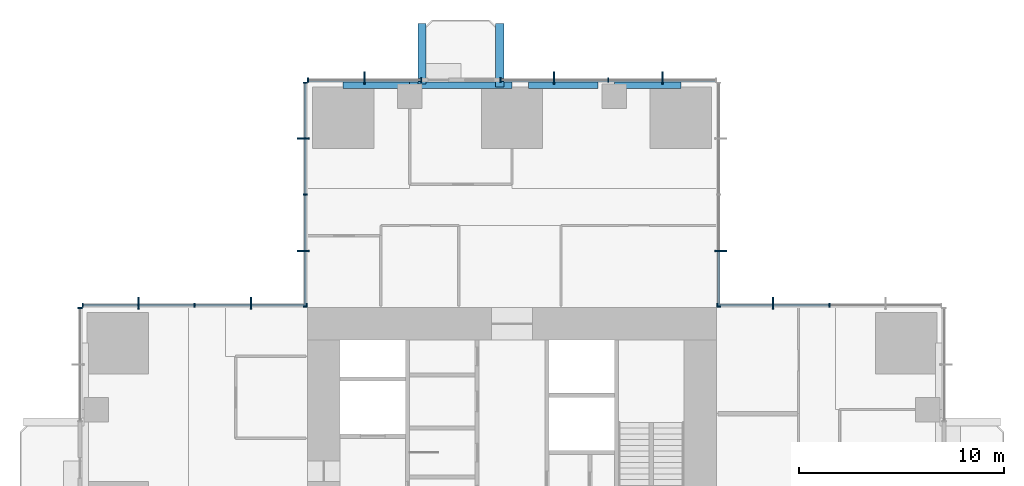
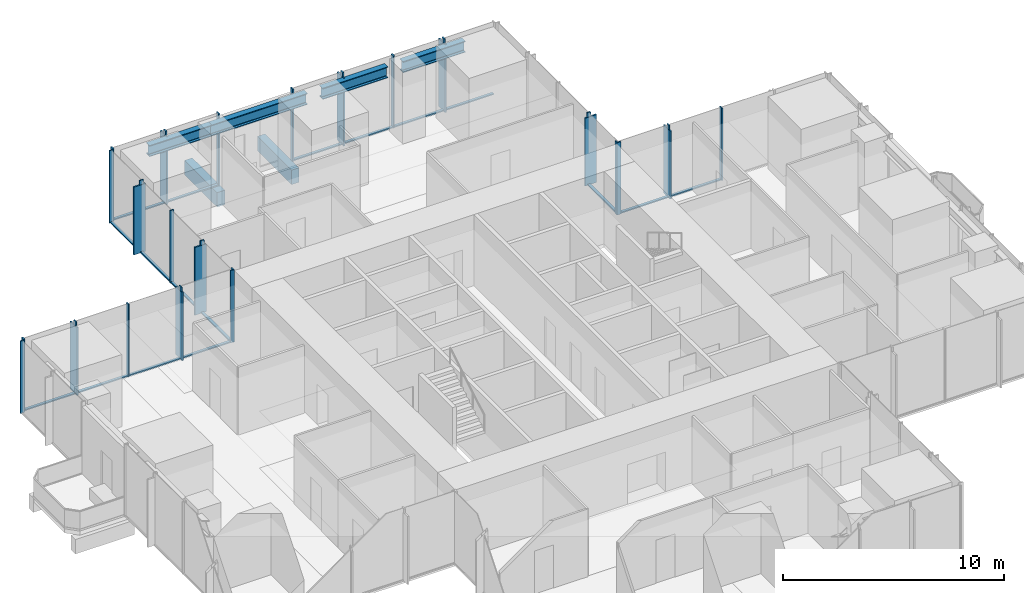
# One storey, part 5 of 13: 49 members, 6 beams, 7 elements without a shape of their own.
"""IFC4 building model written with IfcOpenShell, lengths in metres."""

from ifc_helpers import new_model, si_unit, direction, frame, origin, origin_2d, place, context, subcontext, project, spatial, rectangle, i_section, extrude, material, material_profile, profile_set, type_object, element, aggregate, save


model = new_model("IFC4")

# Units and contexts
model_context = context("Model", 3, precision=1e-05, world=origin(), true_north=direction((0.0, 1.0)))
body_context = subcontext(model_context, "Body", "Model", "MODEL_VIEW")
ifc_project = project(units=[si_unit("LENGTHUNIT", "METRE"), si_unit("AREAUNIT", "SQUARE_METRE"), si_unit("VOLUMEUNIT", "CUBIC_METRE"), si_unit("PLANEANGLEUNIT", "RADIAN"), si_unit("MASSUNIT", "GRAM", prefix="KILO")], contexts=[model_context])

# Site, building, storey
site_placement = place(None, origin())
site = spatial("IfcSite", under=ifc_project, at=site_placement, CompositionType="ELEMENT")
building_placement = place(site_placement, origin())
building = spatial("IfcBuilding", under=site, at=building_placement, Name="Svetlomir Tower", CompositionType="ELEMENT")
storey_placement = place(building_placement, frame((0.0, 0.0, 116.5)))
storey = spatial("IfcBuildingStorey", under=building, at=storey_placement, Name="L27", CompositionType="ELEMENT", Elevation=116.5)

# Beams
ifc_material_1 = material(Name="Concrete C60/75", Category="concrete")
ifc_material_profile_1 = material_profile(ifc_material_1, rectangle(XDim=0.39990234375, YDim=0.800048828125, at=origin_2d()), Name="RC 400x800")
ifc_profile_set_1 = profile_set([ifc_material_profile_1], Name="Concrete C60/75")
beam_type_1 = type_object("IfcBeamType", Name="BALCONY RIB RC 400x800", PredefinedType="BEAM", material=ifc_profile_set_1)
beam_1_placement = place(storey_placement, frame((16.60009765625, 41.89990234375, -0.64990234375), z_axis=(0.0, 1.0, 0.0), x_axis=(-1.0, 0.0, 0.0)))
element("IfcBeam", 1, at=beam_1_placement, inside=storey, type_object=beam_type_1, Name="Balcony rib N 1 L27", PredefinedType="BEAM", context=body_context, shape_type="SweptSolid", body=[
    extrude(rectangle(XDim=0.39990234375, YDim=0.800048828125, at=origin_2d()), origin(), (0.0, 0.0, 1.0), 2.9501953125),
])
beam_2_placement = place(storey_placement, frame((20.39990234375, 41.75, -0.64990234375), z_axis=(0.0, 1.0, 0.0), x_axis=(-1.0, 0.0, 0.0)))
element("IfcBeam", 2, at=beam_2_placement, inside=storey, type_object=beam_type_1, Name="Balcony rib N 2 L27", PredefinedType="BEAM", context=body_context, shape_type="SweptSolid", body=[
    extrude(rectangle(XDim=0.39990234375, YDim=0.800048828125, at=origin_2d()), origin(), (0.0, 0.0, 1.0), 3.10009765625),
])

# Curtain wall, member
ifc_material_2 = material(Name="Bronze anodised aluminium curtain wall", Category="aluminium")
curtain_wall_type = type_object("IfcCurtainWallType", Name="CURTAIN WALL CW1 TOWER OFFICE", PredefinedType="NOTDEFINED", material=ifc_material_2)
curtain_wall_1_placement = place(storey_placement, origin())
curtain_wall_1 = element("IfcCurtainWall", 3, at=curtain_wall_1_placement, inside=storey, type_object=curtain_wall_type, Name="Curtain wall CW1 L27", PredefinedType="NOTDEFINED")
ifc_material_3 = material(Name="Bronze anodised aluminium", Category="aluminium")
ifc_material_profile_2 = material_profile(ifc_material_3, rectangle(XDim=0.080078125, YDim=0.60009765625, at=origin_2d()), Name="FIN 80x600")
ifc_profile_set_2 = profile_set([ifc_material_profile_2], Name="Bronze anodised aluminium 6063-T6")
member_type_1 = type_object("IfcMemberType", Name="BRONZE FIN 80x600", PredefinedType="USERDEFINED", material=ifc_profile_set_2)
member_1_placement = place(storey_placement, frame((33.75, 31.199951171875, 0.0), z_axis=(0.0, 0.0, 1.0), x_axis=(1.0, 0.0, 0.0)))
member_1 = element("IfcMember", 4, at=member_1_placement, type_object=member_type_1, Name="Bronze fin L27", ObjectType="FIN", PredefinedType="USERDEFINED", context=body_context, shape_type="SweptSolid", body=[
    extrude(rectangle(XDim=0.080078125, YDim=0.60009765625, at=origin_2d()), origin(), (0.0, 0.0, 1.0), 3.75),
])

curtain_wall_2_placement = place(storey_placement, origin())
curtain_wall_2 = element("IfcCurtainWall", 5, at=curtain_wall_2_placement, inside=storey, type_object=curtain_wall_type, Name="Curtain wall CW1 L27", PredefinedType="NOTDEFINED")
member_2_placement = place(storey_placement, frame((31.199951171875, 33.75, 0.0), z_axis=(0.0, 0.0, 1.0), x_axis=(0.0, 1.0, 0.0)))
member_2 = element("IfcMember", 6, at=member_2_placement, type_object=member_type_1, Name="Bronze fin L27", ObjectType="FIN", PredefinedType="USERDEFINED", context=body_context, shape_type="SweptSolid", body=[
    extrude(rectangle(XDim=0.080078125, YDim=0.60009765625, at=origin_2d()), origin(), (0.0, 0.0, 1.0), 3.75),
])

# Curtain wall, members
curtain_wall_3_placement = place(storey_placement, origin())
curtain_wall_3 = element("IfcCurtainWall", 7, at=curtain_wall_3_placement, inside=storey, type_object=curtain_wall_type, Name="Curtain wall CW1 L27", PredefinedType="NOTDEFINED")
member_3_placement = place(storey_placement, frame((28.35009765625, 42.199951171875, 0.0), z_axis=(0.0, 0.0, 1.0), x_axis=(1.0, 0.0, 0.0)))
member_3 = element("IfcMember", 8, at=member_3_placement, type_object=member_type_1, Name="Bronze fin L27", ObjectType="FIN", PredefinedType="USERDEFINED", context=body_context, shape_type="SweptSolid", body=[
    extrude(rectangle(XDim=0.080078125, YDim=0.60009765625, at=origin_2d()), origin(), (0.0, 0.0, 1.0), 3.75),
])
member_4_placement = place(storey_placement, frame((23.050048828125, 42.199951171875, 0.0), z_axis=(0.0, 0.0, 1.0), x_axis=(1.0, 0.0, 0.0)))
member_4 = element("IfcMember", 9, at=member_4_placement, type_object=member_type_1, Name="Bronze fin L27", ObjectType="FIN", PredefinedType="USERDEFINED", context=body_context, shape_type="SweptSolid", body=[
    extrude(rectangle(XDim=0.080078125, YDim=0.60009765625, at=origin_2d()), origin(), (0.0, 0.0, 1.0), 3.75),
])

# Curtain wall, member
curtain_wall_4_placement = place(storey_placement, origin())
curtain_wall_4 = element("IfcCurtainWall", 10, at=curtain_wall_4_placement, inside=storey, type_object=curtain_wall_type, Name="Curtain wall CW1 L27", PredefinedType="NOTDEFINED")
member_5_placement = place(storey_placement, frame((13.800048828125, 42.199951171875, 0.0), z_axis=(0.0, 0.0, 1.0), x_axis=(1.0, 0.0, 0.0)))
member_5 = element("IfcMember", 11, at=member_5_placement, type_object=member_type_1, Name="Bronze fin L27", ObjectType="FIN", PredefinedType="USERDEFINED", context=body_context, shape_type="SweptSolid", body=[
    extrude(rectangle(XDim=0.080078125, YDim=0.60009765625, at=origin_2d()), origin(), (0.0, 0.0, 1.0), 3.75),
])

# Curtain wall, members
curtain_wall_5_placement = place(storey_placement, origin())
curtain_wall_5 = element("IfcCurtainWall", 12, at=curtain_wall_5_placement, inside=storey, type_object=curtain_wall_type, Name="Curtain wall CW1 L27", PredefinedType="NOTDEFINED")
member_6_placement = place(storey_placement, frame((10.800048828125, 39.25, 0.0), z_axis=(0.0, 0.0, 1.0), x_axis=(0.0, 1.0, 0.0)))
member_6 = element("IfcMember", 13, at=member_6_placement, type_object=member_type_1, Name="Bronze fin L27", ObjectType="FIN", PredefinedType="USERDEFINED", context=body_context, shape_type="SweptSolid", body=[
    extrude(rectangle(XDim=0.080078125, YDim=0.60009765625, at=origin_2d()), origin(), (0.0, 0.0, 1.0), 3.75),
])
member_7_placement = place(storey_placement, frame((10.800048828125, 33.75, 0.0), z_axis=(0.0, 0.0, 1.0), x_axis=(0.0, 1.0, 0.0)))
member_7 = element("IfcMember", 14, at=member_7_placement, type_object=member_type_1, Name="Bronze fin L27", ObjectType="FIN", PredefinedType="USERDEFINED", context=body_context, shape_type="SweptSolid", body=[
    extrude(rectangle(XDim=0.080078125, YDim=0.60009765625, at=origin_2d()), origin(), (0.0, 0.0, 1.0), 3.75),
])

curtain_wall_6_placement = place(storey_placement, origin())
curtain_wall_6 = element("IfcCurtainWall", 15, at=curtain_wall_6_placement, inside=storey, type_object=curtain_wall_type, Name="Curtain wall CW1 L27", PredefinedType="NOTDEFINED")
member_8_placement = place(storey_placement, frame((8.25, 31.199951171875, 0.0), z_axis=(0.0, 0.0, 1.0), x_axis=(1.0, 0.0, 0.0)))
member_8 = element("IfcMember", 16, at=member_8_placement, type_object=member_type_1, Name="Bronze fin L27", ObjectType="FIN", PredefinedType="USERDEFINED", context=body_context, shape_type="SweptSolid", body=[
    extrude(rectangle(XDim=0.080078125, YDim=0.60009765625, at=origin_2d()), origin(), (0.0, 0.0, 1.0), 3.75),
])
member_9_placement = place(storey_placement, frame((2.75, 31.199951171875, 0.0), z_axis=(0.0, 0.0, 1.0), x_axis=(1.0, 0.0, 0.0)))
member_9 = element("IfcMember", 17, at=member_9_placement, type_object=member_type_1, Name="Bronze fin L27", ObjectType="FIN", PredefinedType="USERDEFINED", context=body_context, shape_type="SweptSolid", body=[
    extrude(rectangle(XDim=0.080078125, YDim=0.60009765625, at=origin_2d()), origin(), (0.0, 0.0, 1.0), 3.75),
])

# Member
ifc_material_4 = material(Name="Bronze anodised aluminium", Category="aluminium")
ifc_material_profile_3 = material_profile(ifc_material_4, rectangle(XDim=0.06494140625, YDim=0.199951171875, at=origin_2d()), Name="AL 65x200")
ifc_profile_set_3 = profile_set([ifc_material_profile_3], Name="Bronze anodised aluminium 6063-T6")
member_type_2 = type_object("IfcMemberType", Name="CW1 MULLION 65x200", PredefinedType="MULLION", material=ifc_profile_set_3)
member_10_placement = place(storey_placement, frame((36.5, 31.10009765625, 0.0), z_axis=(0.0, 0.0, 1.0), x_axis=(-1.0, 0.0, 0.0)))
member_10 = element("IfcMember", 18, at=member_10_placement, type_object=member_type_2, Name="CW1 mullion 3", PredefinedType="MULLION", context=body_context, shape_type="SweptSolid", body=[
    extrude(rectangle(XDim=0.06494140625, YDim=0.199951171875, at=origin_2d()), origin(), (0.0, 0.0, 1.0), 4.0),
])

member_11_placement = place(storey_placement, frame((33.75, 31.10009765625, 0.0), z_axis=(0.0, 0.0, 1.0), x_axis=(-1.0, 0.0, 0.0)))
member_11 = element("IfcMember", 19, at=member_11_placement, type_object=member_type_2, Name="CW1 mullion 4", PredefinedType="MULLION", context=body_context, shape_type="SweptSolid", body=[
    extrude(rectangle(XDim=0.06494140625, YDim=0.199951171875, at=origin_2d()), origin(), (0.0, 0.0, 1.0), 4.0),
])

member_12_placement = place(storey_placement, frame((31.032470703125, 31.10009765625, 0.0), z_axis=(0.0, 0.0, 1.0), x_axis=(-1.0, 0.0, 0.0)))
member_12 = element("IfcMember", 20, at=member_12_placement, type_object=member_type_2, Name="CW1 mullion 5", PredefinedType="MULLION", context=body_context, shape_type="SweptSolid", body=[
    extrude(rectangle(XDim=0.06494140625, YDim=0.199951171875, at=origin_2d()), origin(), (0.0, 0.0, 1.0), 4.0),
])

member_13_placement = place(storey_placement, frame((31.10009765625, 31.032470703125, 0.0), z_axis=(0.0, 0.0, 1.0), x_axis=(0.0, 1.0, 0.0)))
member_13 = element("IfcMember", 21, at=member_13_placement, type_object=member_type_2, Name="CW1 mullion 1", PredefinedType="MULLION", context=body_context, shape_type="SweptSolid", body=[
    extrude(rectangle(XDim=0.06494140625, YDim=0.199951171875, at=origin_2d()), origin(), (0.0, 0.0, 1.0), 4.0),
])

member_14_placement = place(storey_placement, frame((31.10009765625, 33.75, 0.0), z_axis=(0.0, 0.0, 1.0), x_axis=(0.0, 1.0, 0.0)))
member_14 = element("IfcMember", 22, at=member_14_placement, type_object=member_type_2, Name="CW1 mullion 2", PredefinedType="MULLION", context=body_context, shape_type="SweptSolid", body=[
    extrude(rectangle(XDim=0.06494140625, YDim=0.199951171875, at=origin_2d()), origin(), (0.0, 0.0, 1.0), 4.0),
])

member_15_placement = place(storey_placement, frame((28.35009765625, 42.10009765625, 0.0), z_axis=(0.0, 0.0, 1.0), x_axis=(-1.0, 0.0, 0.0)))
member_15 = element("IfcMember", 23, at=member_15_placement, type_object=member_type_2, Name="CW1 mullion 2", PredefinedType="MULLION", context=body_context, shape_type="SweptSolid", body=[
    extrude(rectangle(XDim=0.06494140625, YDim=0.199951171875, at=origin_2d()), origin(), (0.0, 0.0, 1.0), 4.0),
])

member_16_placement = place(storey_placement, frame((25.699951171875, 42.10009765625, 0.0), z_axis=(0.0, 0.0, 1.0), x_axis=(-1.0, 0.0, 0.0)))
member_16 = element("IfcMember", 24, at=member_16_placement, type_object=member_type_2, Name="CW1 mullion 3", PredefinedType="MULLION", context=body_context, shape_type="SweptSolid", body=[
    extrude(rectangle(XDim=0.06494140625, YDim=0.199951171875, at=origin_2d()), origin(), (0.0, 0.0, 1.0), 4.0),
])

member_17_placement = place(storey_placement, frame((23.050048828125, 42.10009765625, 0.0), z_axis=(0.0, 0.0, 1.0), x_axis=(-1.0, 0.0, 0.0)))
member_17 = element("IfcMember", 25, at=member_17_placement, type_object=member_type_2, Name="CW1 mullion 4", PredefinedType="MULLION", context=body_context, shape_type="SweptSolid", body=[
    extrude(rectangle(XDim=0.06494140625, YDim=0.199951171875, at=origin_2d()), origin(), (0.0, 0.0, 1.0), 4.0),
])

member_18_placement = place(storey_placement, frame((20.4326171875, 42.10009765625, 0.0), z_axis=(0.0, 0.0, 1.0), x_axis=(-1.0, 0.0, 0.0)))
member_18 = element("IfcMember", 26, at=member_18_placement, type_object=member_type_2, Name="CW1 mullion 5", PredefinedType="MULLION", context=body_context, shape_type="SweptSolid", body=[
    extrude(rectangle(XDim=0.06494140625, YDim=0.199951171875, at=origin_2d()), origin(), (0.0, 0.0, 1.0), 4.0),
])

member_19_placement = place(storey_placement, frame((16.5673828125, 42.10009765625, 0.0), z_axis=(0.0, 0.0, 1.0), x_axis=(-1.0, 0.0, 0.0)))
member_19 = element("IfcMember", 27, at=member_19_placement, type_object=member_type_2, Name="CW1 mullion 1", PredefinedType="MULLION", context=body_context, shape_type="SweptSolid", body=[
    extrude(rectangle(XDim=0.06494140625, YDim=0.199951171875, at=origin_2d()), origin(), (0.0, 0.0, 1.0), 4.0),
])

member_20_placement = place(storey_placement, frame((13.800048828125, 42.10009765625, 0.0), z_axis=(0.0, 0.0, 1.0), x_axis=(-1.0, 0.0, 0.0)))
member_20 = element("IfcMember", 28, at=member_20_placement, type_object=member_type_2, Name="CW1 mullion 2", PredefinedType="MULLION", context=body_context, shape_type="SweptSolid", body=[
    extrude(rectangle(XDim=0.06494140625, YDim=0.199951171875, at=origin_2d()), origin(), (0.0, 0.0, 1.0), 4.0),
])

member_21_placement = place(storey_placement, frame((11.032470703125, 42.10009765625, 0.0), z_axis=(0.0, 0.0, 1.0), x_axis=(-1.0, 0.0, 0.0)))
member_21 = element("IfcMember", 29, at=member_21_placement, type_object=member_type_2, Name="CW1 mullion 3", PredefinedType="MULLION", context=body_context, shape_type="SweptSolid", body=[
    extrude(rectangle(XDim=0.06494140625, YDim=0.199951171875, at=origin_2d()), origin(), (0.0, 0.0, 1.0), 4.0),
])

member_22_placement = place(storey_placement, frame((10.89990234375, 41.967529296875, 0.0), z_axis=(0.0, 0.0, 1.0), x_axis=(0.0, -1.0, 0.0)))
member_22 = element("IfcMember", 30, at=member_22_placement, type_object=member_type_2, Name="CW1 mullion 1", PredefinedType="MULLION", context=body_context, shape_type="SweptSolid", body=[
    extrude(rectangle(XDim=0.06494140625, YDim=0.199951171875, at=origin_2d()), origin(), (0.0, 0.0, 1.0), 4.0),
])

member_23_placement = place(storey_placement, frame((10.89990234375, 39.25, 0.0), z_axis=(0.0, 0.0, 1.0), x_axis=(0.0, -1.0, 0.0)))
member_23 = element("IfcMember", 31, at=member_23_placement, type_object=member_type_2, Name="CW1 mullion 2", PredefinedType="MULLION", context=body_context, shape_type="SweptSolid", body=[
    extrude(rectangle(XDim=0.06494140625, YDim=0.199951171875, at=origin_2d()), origin(), (0.0, 0.0, 1.0), 4.0),
])

member_24_placement = place(storey_placement, frame((10.89990234375, 36.5, 0.0), z_axis=(0.0, 0.0, 1.0), x_axis=(0.0, -1.0, 0.0)))
member_24 = element("IfcMember", 32, at=member_24_placement, type_object=member_type_2, Name="CW1 mullion 3", PredefinedType="MULLION", context=body_context, shape_type="SweptSolid", body=[
    extrude(rectangle(XDim=0.06494140625, YDim=0.199951171875, at=origin_2d()), origin(), (0.0, 0.0, 1.0), 4.0),
])

member_25_placement = place(storey_placement, frame((10.89990234375, 33.75, 0.0), z_axis=(0.0, 0.0, 1.0), x_axis=(0.0, -1.0, 0.0)))
member_25 = element("IfcMember", 33, at=member_25_placement, type_object=member_type_2, Name="CW1 mullion 4", PredefinedType="MULLION", context=body_context, shape_type="SweptSolid", body=[
    extrude(rectangle(XDim=0.06494140625, YDim=0.199951171875, at=origin_2d()), origin(), (0.0, 0.0, 1.0), 4.0),
])

member_26_placement = place(storey_placement, frame((10.89990234375, 31.032470703125, 0.0), z_axis=(0.0, 0.0, 1.0), x_axis=(0.0, -1.0, 0.0)))
member_26 = element("IfcMember", 34, at=member_26_placement, type_object=member_type_2, Name="CW1 mullion 5", PredefinedType="MULLION", context=body_context, shape_type="SweptSolid", body=[
    extrude(rectangle(XDim=0.06494140625, YDim=0.199951171875, at=origin_2d()), origin(), (0.0, 0.0, 1.0), 4.0),
])

member_27_placement = place(storey_placement, frame((10.967529296875, 31.10009765625, 0.0), z_axis=(0.0, 0.0, 1.0), x_axis=(-1.0, 0.0, 0.0)))
member_27 = element("IfcMember", 35, at=member_27_placement, type_object=member_type_2, Name="CW1 mullion 1", PredefinedType="MULLION", context=body_context, shape_type="SweptSolid", body=[
    extrude(rectangle(XDim=0.06494140625, YDim=0.199951171875, at=origin_2d()), origin(), (0.0, 0.0, 1.0), 4.0),
])

member_28_placement = place(storey_placement, frame((8.25, 31.10009765625, 0.0), z_axis=(0.0, 0.0, 1.0), x_axis=(-1.0, 0.0, 0.0)))
member_28 = element("IfcMember", 36, at=member_28_placement, type_object=member_type_2, Name="CW1 mullion 2", PredefinedType="MULLION", context=body_context, shape_type="SweptSolid", body=[
    extrude(rectangle(XDim=0.06494140625, YDim=0.199951171875, at=origin_2d()), origin(), (0.0, 0.0, 1.0), 4.0),
])

member_29_placement = place(storey_placement, frame((5.5, 31.10009765625, 0.0), z_axis=(0.0, 0.0, 1.0), x_axis=(-1.0, 0.0, 0.0)))
member_29 = element("IfcMember", 37, at=member_29_placement, type_object=member_type_2, Name="CW1 mullion 3", PredefinedType="MULLION", context=body_context, shape_type="SweptSolid", body=[
    extrude(rectangle(XDim=0.06494140625, YDim=0.199951171875, at=origin_2d()), origin(), (0.0, 0.0, 1.0), 4.0),
])

member_30_placement = place(storey_placement, frame((2.75, 31.10009765625, 0.0), z_axis=(0.0, 0.0, 1.0), x_axis=(-1.0, 0.0, 0.0)))
member_30 = element("IfcMember", 38, at=member_30_placement, type_object=member_type_2, Name="CW1 mullion 4", PredefinedType="MULLION", context=body_context, shape_type="SweptSolid", body=[
    extrude(rectangle(XDim=0.06494140625, YDim=0.199951171875, at=origin_2d()), origin(), (0.0, 0.0, 1.0), 4.0),
])

member_31_placement = place(storey_placement, frame((0.032470703125, 31.10009765625, 0.0), z_axis=(0.0, 0.0, 1.0), x_axis=(-1.0, 0.0, 0.0)))
member_31 = element("IfcMember", 39, at=member_31_placement, type_object=member_type_2, Name="CW1 mullion 5", PredefinedType="MULLION", context=body_context, shape_type="SweptSolid", body=[
    extrude(rectangle(XDim=0.06494140625, YDim=0.199951171875, at=origin_2d()), origin(), (0.0, 0.0, 1.0), 4.0),
])

# Curtain wall, member
curtain_wall_7_placement = place(storey_placement, origin())
curtain_wall_7 = element("IfcCurtainWall", 40, at=curtain_wall_7_placement, inside=storey, type_object=curtain_wall_type, Name="Curtain wall CW1 L27", PredefinedType="NOTDEFINED")
member_32_placement = place(storey_placement, frame((-0.10009765625, 30.967529296875, 0.0), z_axis=(0.0, 0.0, 1.0), x_axis=(0.0, -1.0, 0.0)))
member_32 = element("IfcMember", 41, at=member_32_placement, type_object=member_type_2, Name="CW1 mullion 1", PredefinedType="MULLION", context=body_context, shape_type="SweptSolid", body=[
    extrude(rectangle(XDim=0.06494140625, YDim=0.199951171875, at=origin_2d()), origin(), (0.0, 0.0, 1.0), 4.0),
])
aggregate(curtain_wall_7, [member_32])

# Member
ifc_material_5 = material(Name="Bronze anodised aluminium", Category="aluminium")
ifc_material_profile_4 = material_profile(ifc_material_5, rectangle(XDim=0.139892578125, YDim=0.06494140625, at=origin_2d()), Name="AL 140x65")
ifc_profile_set_4 = profile_set([ifc_material_profile_4], Name="Bronze anodised aluminium 6063-T6")
member_type_3 = type_object("IfcMemberType", Name="CW1 TRANSOM 65x140", PredefinedType="USERDEFINED", material=ifc_profile_set_4)
member_33_placement = place(storey_placement, frame((36.467529296875, 31.10009765625, 0.032470703125), z_axis=(-1.0, 0.0, 0.0), x_axis=(0.0, -1.0, 0.0)))
member_33 = element("IfcMember", 42, at=member_33_placement, type_object=member_type_3, Name="CW1 transom 3.1", ObjectType="TRANSOM", PredefinedType="USERDEFINED", context=body_context, shape_type="SweptSolid", body=[
    extrude(rectangle(XDim=0.139892578125, YDim=0.06494140625, at=origin_2d()), origin(), (0.0, 0.0, 1.0), 2.68505859375),
])

member_34_placement = place(storey_placement, frame((33.717529296875, 31.10009765625, 0.032470703125), z_axis=(-1.0, 0.0, 0.0), x_axis=(0.0, -1.0, 0.0)))
member_34 = element("IfcMember", 43, at=member_34_placement, type_object=member_type_3, Name="CW1 transom 4.1", ObjectType="TRANSOM", PredefinedType="USERDEFINED", context=body_context, shape_type="SweptSolid", body=[
    extrude(rectangle(XDim=0.139892578125, YDim=0.06494140625, at=origin_2d()), origin(), (0.0, 0.0, 1.0), 2.652587890625),
])

aggregate(curtain_wall_1, [member_10, member_11, member_12, member_33, member_34, member_1])

member_35_placement = place(storey_placement, frame((31.10009765625, 31.06494140625, 0.032470703125), z_axis=(0.0, 1.0, 0.0), x_axis=(-1.0, 0.0, 0.0)))
member_35 = element("IfcMember", 44, at=member_35_placement, type_object=member_type_3, Name="CW1 transom 1.1", ObjectType="TRANSOM", PredefinedType="USERDEFINED", context=body_context, shape_type="SweptSolid", body=[
    extrude(rectangle(XDim=0.139892578125, YDim=0.06494140625, at=origin_2d()), origin(), (0.0, 0.0, 1.0), 2.652587890625),
])

aggregate(curtain_wall_2, [member_13, member_14, member_35, member_2])

member_36_placement = place(storey_placement, frame((30.93505859375, 42.10009765625, 0.032470703125), z_axis=(-1.0, 0.0, 0.0), x_axis=(0.0, -1.0, 0.0)))
member_36 = element("IfcMember", 45, at=member_36_placement, type_object=member_type_3, Name="CW1 transom 1.1", ObjectType="TRANSOM", PredefinedType="USERDEFINED", context=body_context, shape_type="SweptSolid", body=[
    extrude(rectangle(XDim=0.139892578125, YDim=0.06494140625, at=origin_2d()), origin(), (0.0, 0.0, 1.0), 2.552490234375),
])

member_37_placement = place(storey_placement, frame((28.3173828125, 42.10009765625, 0.032470703125), z_axis=(-1.0, 0.0, 0.0), x_axis=(0.0, -1.0, 0.0)))
member_37 = element("IfcMember", 46, at=member_37_placement, type_object=member_type_3, Name="CW1 transom 2.1", ObjectType="TRANSOM", PredefinedType="USERDEFINED", context=body_context, shape_type="SweptSolid", body=[
    extrude(rectangle(XDim=0.139892578125, YDim=0.06494140625, at=origin_2d()), origin(), (0.0, 0.0, 1.0), 2.5849609375),
])

member_38_placement = place(storey_placement, frame((25.66748046875, 42.10009765625, 0.032470703125), z_axis=(-1.0, 0.0, 0.0), x_axis=(0.0, -1.0, 0.0)))
member_38 = element("IfcMember", 47, at=member_38_placement, type_object=member_type_3, Name="CW1 transom 3.1", ObjectType="TRANSOM", PredefinedType="USERDEFINED", context=body_context, shape_type="SweptSolid", body=[
    extrude(rectangle(XDim=0.139892578125, YDim=0.06494140625, at=origin_2d()), origin(), (0.0, 0.0, 1.0), 2.5849609375),
])

member_39_placement = place(storey_placement, frame((23.017578125, 42.10009765625, 0.032470703125), z_axis=(-1.0, 0.0, 0.0), x_axis=(0.0, -1.0, 0.0)))
member_39 = element("IfcMember", 48, at=member_39_placement, type_object=member_type_3, Name="CW1 transom 4.1", ObjectType="TRANSOM", PredefinedType="USERDEFINED", context=body_context, shape_type="SweptSolid", body=[
    extrude(rectangle(XDim=0.139892578125, YDim=0.06494140625, at=origin_2d()), origin(), (0.0, 0.0, 1.0), 2.552490234375),
])

aggregate(curtain_wall_3, [member_15, member_16, member_17, member_18, member_36, member_37, member_38, member_39, member_3, member_4])

member_40_placement = place(storey_placement, frame((16.534912109375, 42.10009765625, 0.032470703125), z_axis=(-1.0, 0.0, 0.0), x_axis=(0.0, -1.0, 0.0)))
member_40 = element("IfcMember", 49, at=member_40_placement, type_object=member_type_3, Name="CW1 transom 1.1", ObjectType="TRANSOM", PredefinedType="USERDEFINED", context=body_context, shape_type="SweptSolid", body=[
    extrude(rectangle(XDim=0.139892578125, YDim=0.06494140625, at=origin_2d()), origin(), (0.0, 0.0, 1.0), 2.702392578125),
])

member_41_placement = place(storey_placement, frame((13.767578125, 42.10009765625, 0.032470703125), z_axis=(-1.0, 0.0, 0.0), x_axis=(0.0, -1.0, 0.0)))
member_41 = element("IfcMember", 50, at=member_41_placement, type_object=member_type_3, Name="CW1 transom 2.1", ObjectType="TRANSOM", PredefinedType="USERDEFINED", context=body_context, shape_type="SweptSolid", body=[
    extrude(rectangle(XDim=0.139892578125, YDim=0.06494140625, at=origin_2d()), origin(), (0.0, 0.0, 1.0), 2.70263671875),
])

aggregate(curtain_wall_4, [member_19, member_20, member_21, member_40, member_41, member_5])

member_42_placement = place(storey_placement, frame((10.89990234375, 41.93505859375, 0.032470703125), z_axis=(0.0, -1.0, 0.0), x_axis=(1.0, 0.0, 0.0)))
member_42 = element("IfcMember", 51, at=member_42_placement, type_object=member_type_3, Name="CW1 transom 1.1", ObjectType="TRANSOM", PredefinedType="USERDEFINED", context=body_context, shape_type="SweptSolid", body=[
    extrude(rectangle(XDim=0.139892578125, YDim=0.06494140625, at=origin_2d()), origin(), (0.0, 0.0, 1.0), 2.652587890625),
])

member_43_placement = place(storey_placement, frame((10.89990234375, 39.217529296875, 0.032470703125), z_axis=(0.0, -1.0, 0.0), x_axis=(1.0, 0.0, 0.0)))
member_43 = element("IfcMember", 52, at=member_43_placement, type_object=member_type_3, Name="CW1 transom 2.1", ObjectType="TRANSOM", PredefinedType="USERDEFINED", context=body_context, shape_type="SweptSolid", body=[
    extrude(rectangle(XDim=0.139892578125, YDim=0.06494140625, at=origin_2d()), origin(), (0.0, 0.0, 1.0), 2.68505859375),
])

member_44_placement = place(storey_placement, frame((10.89990234375, 36.467529296875, 0.032470703125), z_axis=(0.0, -1.0, 0.0), x_axis=(1.0, 0.0, 0.0)))
member_44 = element("IfcMember", 53, at=member_44_placement, type_object=member_type_3, Name="CW1 transom 3.1", ObjectType="TRANSOM", PredefinedType="USERDEFINED", context=body_context, shape_type="SweptSolid", body=[
    extrude(rectangle(XDim=0.139892578125, YDim=0.06494140625, at=origin_2d()), origin(), (0.0, 0.0, 1.0), 2.68505859375),
])

member_45_placement = place(storey_placement, frame((10.89990234375, 33.717529296875, 0.032470703125), z_axis=(0.0, -1.0, 0.0), x_axis=(1.0, 0.0, 0.0)))
member_45 = element("IfcMember", 54, at=member_45_placement, type_object=member_type_3, Name="CW1 transom 4.1", ObjectType="TRANSOM", PredefinedType="USERDEFINED", context=body_context, shape_type="SweptSolid", body=[
    extrude(rectangle(XDim=0.139892578125, YDim=0.06494140625, at=origin_2d()), origin(), (0.0, 0.0, 1.0), 2.652587890625),
])

aggregate(curtain_wall_5, [member_22, member_23, member_24, member_25, member_26, member_42, member_43, member_44, member_45, member_6, member_7])

member_46_placement = place(storey_placement, frame((10.93505859375, 31.10009765625, 0.032470703125), z_axis=(-1.0, 0.0, 0.0), x_axis=(0.0, -1.0, 0.0)))
member_46 = element("IfcMember", 55, at=member_46_placement, type_object=member_type_3, Name="CW1 transom 1.1", ObjectType="TRANSOM", PredefinedType="USERDEFINED", context=body_context, shape_type="SweptSolid", body=[
    extrude(rectangle(XDim=0.139892578125, YDim=0.06494140625, at=origin_2d()), origin(), (0.0, 0.0, 1.0), 2.652587890625),
])

member_47_placement = place(storey_placement, frame((8.217529296875, 31.10009765625, 0.032470703125), z_axis=(-1.0, 0.0, 0.0), x_axis=(0.0, -1.0, 0.0)))
member_47 = element("IfcMember", 56, at=member_47_placement, type_object=member_type_3, Name="CW1 transom 2.1", ObjectType="TRANSOM", PredefinedType="USERDEFINED", context=body_context, shape_type="SweptSolid", body=[
    extrude(rectangle(XDim=0.139892578125, YDim=0.06494140625, at=origin_2d()), origin(), (0.0, 0.0, 1.0), 2.68505859375),
])

member_48_placement = place(storey_placement, frame((5.467529296875, 31.10009765625, 0.032470703125), z_axis=(-1.0, 0.0, 0.0), x_axis=(0.0, -1.0, 0.0)))
member_48 = element("IfcMember", 57, at=member_48_placement, type_object=member_type_3, Name="CW1 transom 3.1", ObjectType="TRANSOM", PredefinedType="USERDEFINED", context=body_context, shape_type="SweptSolid", body=[
    extrude(rectangle(XDim=0.139892578125, YDim=0.06494140625, at=origin_2d()), origin(), (0.0, 0.0, 1.0), 2.68505859375),
])

member_49_placement = place(storey_placement, frame((2.717529296875, 31.10009765625, 0.032470703125), z_axis=(-1.0, 0.0, 0.0), x_axis=(0.0, -1.0, 0.0)))
member_49 = element("IfcMember", 58, at=member_49_placement, type_object=member_type_3, Name="CW1 transom 4.1", ObjectType="TRANSOM", PredefinedType="USERDEFINED", context=body_context, shape_type="SweptSolid", body=[
    extrude(rectangle(XDim=0.139892578125, YDim=0.06494140625, at=origin_2d()), origin(), (0.0, 0.0, 1.0), 2.652587890625),
])

aggregate(curtain_wall_6, [member_27, member_28, member_29, member_30, member_31, member_46, member_47, member_48, member_49, member_8, member_9])

# Beams
ifc_material_6 = material(Name="Steel S355", Category="steel")
ifc_material_profile_5 = material_profile(ifc_material_6, i_section(OverallWidth=0.304931640625, OverallDepth=0.6201171875, WebThickness=0.02099609375, FlangeThickness=0.0400390625, FilletRadius=0.027099609375, at=origin_2d()), Name="HEM 600")
ifc_profile_set_5 = profile_set([ifc_material_profile_5], Name="Steel S355")
beam_type_2 = type_object("IfcBeamType", Name="EDGE BEAM HEM 600", PredefinedType="SPANDREL", material=ifc_profile_set_5)
beam_3_placement = place(storey_placement, frame((12.75, 41.847412109375, 3.43994140625), z_axis=(1.0, 0.0, 0.0), x_axis=(0.0, 1.0, 0.0)))
element("IfcBeam", 59, at=beam_3_placement, inside=storey, type_object=beam_type_2, Name="Edge beam 11/42 to 16/42 under L28", PredefinedType="SPANDREL", context=body_context, shape_type="SweptSolid", body=[
    extrude(i_section(OverallWidth=0.304931640625, OverallDepth=0.6201171875, WebThickness=0.02099609375, FlangeThickness=0.0400390625, FilletRadius=0.027099609375, at=origin_2d()), origin(), (0.0, 0.0, 1.0), 3.25),
])
beam_4_placement = place(storey_placement, frame((16.0, 41.847412109375, 3.43994140625), z_axis=(1.0, 0.0, 0.0), x_axis=(0.0, 1.0, 0.0)))
element("IfcBeam", 60, at=beam_4_placement, inside=storey, type_object=beam_type_2, Name="Edge beam 16/42 to 21/42 under L28", PredefinedType="SPANDREL", context=body_context, shape_type="SweptSolid", body=[
    extrude(i_section(OverallWidth=0.304931640625, OverallDepth=0.6201171875, WebThickness=0.02099609375, FlangeThickness=0.0400390625, FilletRadius=0.027099609375, at=origin_2d()), origin(), (0.0, 0.0, 1.0), 5.0),
])
beam_5_placement = place(storey_placement, frame((21.800048828125, 41.847412109375, 3.43994140625), z_axis=(1.0, 0.0, 0.0), x_axis=(0.0, 1.0, 0.0)))
element("IfcBeam", 61, at=beam_5_placement, inside=storey, type_object=beam_type_2, Name="Edge beam 21/42 to 26/42 under L28", PredefinedType="SPANDREL", context=body_context, shape_type="SweptSolid", body=[
    extrude(i_section(OverallWidth=0.304931640625, OverallDepth=0.6201171875, WebThickness=0.02099609375, FlangeThickness=0.0400390625, FilletRadius=0.027099609375, at=origin_2d()), origin(), (0.0, 0.0, 1.0), 3.39990234375),
])
beam_6_placement = place(storey_placement, frame((26.0, 41.847412109375, 3.43994140625), z_axis=(1.0, 0.0, 0.0), x_axis=(0.0, 1.0, 0.0)))
element("IfcBeam", 62, at=beam_6_placement, inside=storey, type_object=beam_type_2, Name="Edge beam 26/42 to 31/42 under L28", PredefinedType="SPANDREL", context=body_context, shape_type="SweptSolid", body=[
    extrude(i_section(OverallWidth=0.304931640625, OverallDepth=0.6201171875, WebThickness=0.02099609375, FlangeThickness=0.0400390625, FilletRadius=0.027099609375, at=origin_2d()), origin(), (0.0, 0.0, 1.0), 3.25),
])

save(model, "model.ifc")
